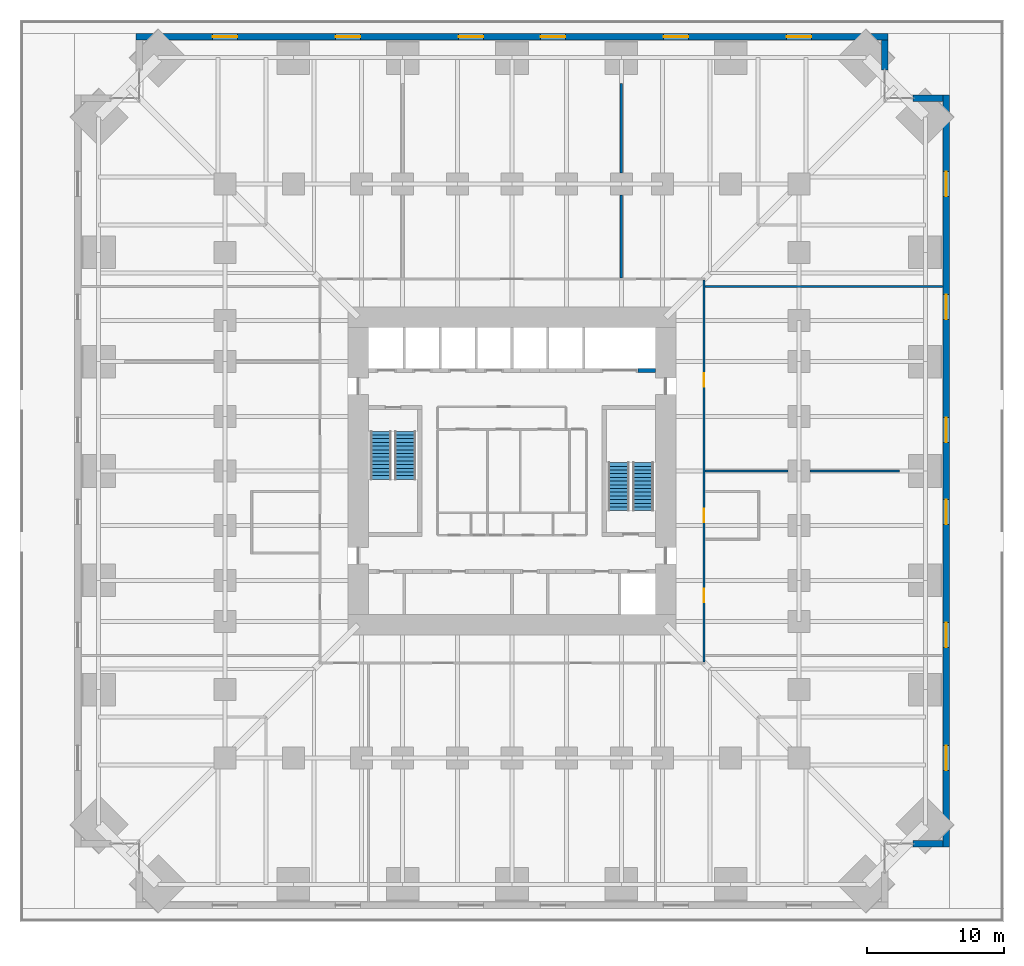
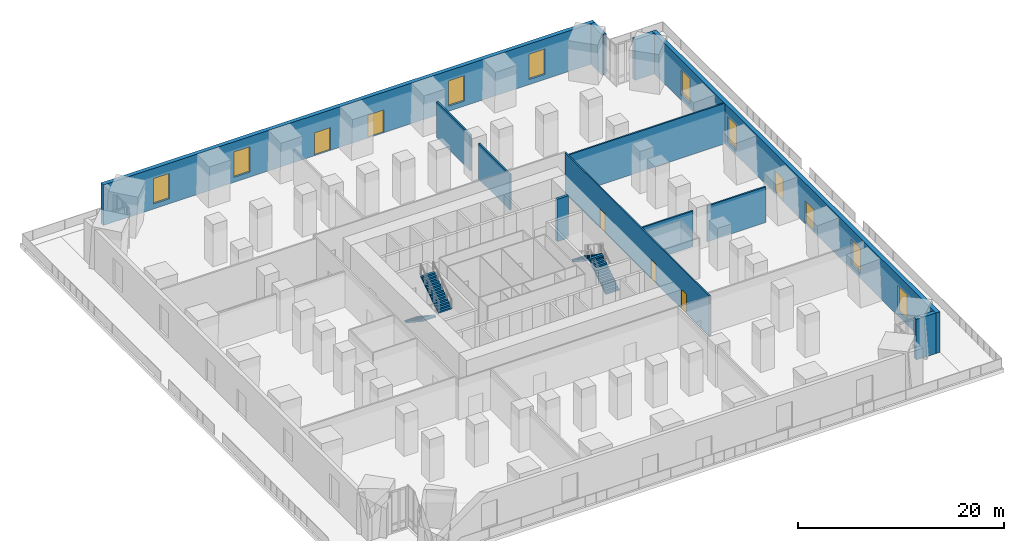
# One storey, part 23 of 26: 12 walls, 8 windows, 7 doors, 4 stair flights, 15 openings, 2 elements without a shape of their own.
"""IFC4 building model written with IfcOpenShell, lengths in metres."""

from ifc_helpers import new_model, si_unit, direction, frame, frame_2d, origin, place, context, subcontext, project, spatial, polyline, rectangle, outline, extrude, material, layer, layer_set, type_object, element, fill, aggregate, save


model = new_model("IFC4")

# Units and contexts
model_context = context("Model", 3, precision=1e-05, world=origin(), true_north=direction((0.0, 1.0)))
body_context = subcontext(model_context, "Body", "Model", "MODEL_VIEW")
ifc_project = project(units=[si_unit("LENGTHUNIT", "METRE"), si_unit("AREAUNIT", "SQUARE_METRE"), si_unit("VOLUMEUNIT", "CUBIC_METRE"), si_unit("PLANEANGLEUNIT", "RADIAN"), si_unit("MASSUNIT", "GRAM", prefix="KILO")], contexts=[model_context])

# Site, building, storey
site_placement = place(None, origin())
site = spatial("IfcSite", under=ifc_project, at=site_placement, CompositionType="ELEMENT")
building_placement = place(site_placement, origin())
building = spatial("IfcBuilding", under=site, at=building_placement, Name="Peilmerk Tower", CompositionType="ELEMENT")
storey_placement = place(building_placement, frame((0.0, 0.0, 16.0)))
storey = spatial("IfcBuildingStorey", under=building, at=storey_placement, Name="L03", CompositionType="ELEMENT", Elevation=16.0)

# Wall, openings, doors, windows
ifc_material_1 = material(Name="Precast concrete C45/55, board-marked finish", Category="concrete")
ifc_layer_1 = layer(ifc_material_1, 0.449951171875)
ifc_layer_set_1 = layer_set([ifc_layer_1], Name="Precast concrete C45/55, board-marked finish")
wall_type_1 = type_object("IfcWallType", Name="EW1 450 precast concrete facade wall, board-marked", PredefinedType="SOLIDWALL", material=ifc_layer_set_1)
wall_1_placement = place(storey_placement, frame((27.5, 31.77490234375, 0.0), z_axis=(0.0, 0.0, 1.0), x_axis=(-1.0, 0.0, 0.0)))
wall_1 = element("IfcWall", 1, at=wall_1_placement, inside=storey, type_object=wall_type_1, Name="Facade wall N L03", PredefinedType="SOLIDWALL", context=body_context, shape_type="SweptSolid", body=[
    extrude(rectangle(XDim=55.0, YDim=0.449951171875, at=frame_2d((27.5, 0.0))), origin(), (0.0, 0.0, 1.0), 4.800048828125),
])
opening_1_placement = place(wall_1_placement, frame((5.60009765625, 0.0, 0.60009765625)))
opening_1 = element("IfcOpeningElement", 2, at=opening_1_placement, cuts=wall_1, Name="Opening W7", PredefinedType="OPENING", context=body_context, shape_type="SweptSolid", body=[
    extrude(rectangle(XDim=1.800048828125, YDim=3.0, at=frame_2d((0.89990234375, 1.5))), frame((0.0, 0.23486328125, 0.0), z_axis=(0.0, -1.0, 0.0), x_axis=(1.0, 0.0, 0.0)), (0.0, 0.0, 1.0), 0.469970703125),
])
opening_2_placement = place(wall_1_placement, frame((14.60009765625, 0.0, 0.60009765625)))
opening_2 = element("IfcOpeningElement", 3, at=opening_2_placement, cuts=wall_1, Name="Opening W7", PredefinedType="OPENING", context=body_context, shape_type="SweptSolid", body=[
    extrude(rectangle(XDim=1.800048828125, YDim=3.0, at=frame_2d((0.89990234375, 1.5))), frame((0.0, 0.23486328125, 0.0), z_axis=(0.0, -1.0, 0.0), x_axis=(1.0, 0.0, 0.0)), (0.0, 0.0, 1.0), 0.469970703125),
])
opening_3_placement = place(wall_1_placement, frame((38.60009765625, 0.0, 0.60009765625)))
opening_3 = element("IfcOpeningElement", 4, at=opening_3_placement, cuts=wall_1, Name="Opening W7", PredefinedType="OPENING", context=body_context, shape_type="SweptSolid", body=[
    extrude(rectangle(XDim=1.800048828125, YDim=3.0, at=frame_2d((0.89990234375, 1.5))), frame((0.0, 0.23486328125, 0.0), z_axis=(0.0, -1.0, 0.0), x_axis=(1.0, 0.0, 0.0)), (0.0, 0.0, 1.0), 0.469970703125),
])
opening_4_placement = place(wall_1_placement, frame((47.60009765625, 0.0, 0.60009765625)))
opening_4 = element("IfcOpeningElement", 5, at=opening_4_placement, cuts=wall_1, Name="Opening W7", PredefinedType="OPENING", context=body_context, shape_type="SweptSolid", body=[
    extrude(rectangle(XDim=1.800048828125, YDim=3.0, at=frame_2d((0.89990234375, 1.5))), frame((0.0, 0.23486328125, 0.0), z_axis=(0.0, -1.0, 0.0), x_axis=(1.0, 0.0, 0.0)), (0.0, 0.0, 1.0), 0.469970703125),
])
opening_5_placement = place(wall_1_placement, frame((23.60009765625, 0.0, 0.0)))
opening_5 = element("IfcOpeningElement", 6, at=opening_5_placement, cuts=wall_1, Name="Opening ED4", PredefinedType="OPENING", context=body_context, shape_type="SweptSolid", body=[
    extrude(rectangle(XDim=1.800048828125, YDim=2.699951171875, at=frame_2d((0.89990234375, 1.35009765625))), frame((0.0, 0.23486328125, 0.0), z_axis=(0.0, -1.0, 0.0), x_axis=(1.0, 0.0, 0.0)), (0.0, 0.0, 1.0), 0.469970703125),
])
opening_6_placement = place(wall_1_placement, frame((29.60009765625, 0.0, 0.0)))
opening_6 = element("IfcOpeningElement", 7, at=opening_6_placement, cuts=wall_1, Name="Opening ED4", PredefinedType="OPENING", context=body_context, shape_type="SweptSolid", body=[
    extrude(rectangle(XDim=1.800048828125, YDim=2.699951171875, at=frame_2d((0.89990234375, 1.35009765625))), frame((0.0, 0.23486328125, 0.0), z_axis=(0.0, -1.0, 0.0), x_axis=(1.0, 0.0, 0.0)), (0.0, 0.0, 1.0), 0.469970703125),
])
ifc_material_2 = material(Name="Aluminium frame, clear glazing", Category="aluminium")
door_type_1 = type_object("IfcDoorType", Name="ED4 1800x2700 terrace door pair, glazed", OperationType="DOUBLE_DOOR_DOUBLE_SWING", PredefinedType="DOOR", material=ifc_material_2)
door_1_placement = place(opening_5_placement, frame((1.800048828125, 0.0, 0.0), z_axis=(0.0, 0.0, 1.0), x_axis=(-1.0, 0.0, 0.0)))
door_1 = element("IfcDoor", 8, at=door_1_placement, inside=storey, type_object=door_type_1, Name="Terrace door pair, glazed L03", OperationType="DOUBLE_DOOR_DOUBLE_SWING", OverallHeight=2.699951171875, OverallWidth=1.800048828125, PredefinedType="DOOR", context=body_context, shape_type="SweptSolid", body=[
    extrude(rectangle(XDim=1.800048828125, YDim=2.699951171875, at=frame_2d((0.89990234375, 1.35009765625))), frame((0.0, 0.02490234375, 0.0), z_axis=(0.0, -1.0, 0.0), x_axis=(1.0, 0.0, 0.0)), (0.0, 0.0, 1.0), 0.050048828125),
])
fill(opening_5, door_1)
door_2_placement = place(opening_6_placement, frame((1.800048828125, 0.0, 0.0), z_axis=(0.0, 0.0, 1.0), x_axis=(-1.0, 0.0, 0.0)))
door_2 = element("IfcDoor", 9, at=door_2_placement, inside=storey, type_object=door_type_1, Name="Terrace door pair, glazed L03", OperationType="DOUBLE_DOOR_DOUBLE_SWING", OverallHeight=2.699951171875, OverallWidth=1.800048828125, PredefinedType="DOOR", context=body_context, shape_type="SweptSolid", body=[
    extrude(rectangle(XDim=1.800048828125, YDim=2.699951171875, at=frame_2d((0.89990234375, 1.35009765625))), frame((0.0, 0.02490234375, 0.0), z_axis=(0.0, -1.0, 0.0), x_axis=(1.0, 0.0, 0.0)), (0.0, 0.0, 1.0), 0.050048828125),
])
fill(opening_6, door_2)
ifc_material_3 = material(Name="Aluminium frame, clear double glazing", Category="aluminium")
window_type = type_object("IfcWindowType", Name="W7 1800x3000 podium window", PartitioningType="SINGLE_PANEL", PredefinedType="WINDOW", material=ifc_material_3)
window_1_placement = place(opening_1_placement, origin())
window_1 = element("IfcWindow", 10, at=window_1_placement, inside=storey, type_object=window_type, Name="Window W7 L03", OverallHeight=3.0, OverallWidth=1.800048828125, PartitioningType="SINGLE_PANEL", PredefinedType="WINDOW", context=body_context, shape_type="SweptSolid", body=[
    extrude(rectangle(XDim=1.800048828125, YDim=3.0, at=frame_2d((0.89990234375, 1.5))), frame((0.0, 0.030029296875, 0.0), z_axis=(0.0, -1.0, 0.0), x_axis=(1.0, 0.0, 0.0)), (0.0, 0.0, 1.0), 0.06005859375),
])
fill(opening_1, window_1)
window_2_placement = place(opening_2_placement, origin())
window_2 = element("IfcWindow", 11, at=window_2_placement, inside=storey, type_object=window_type, Name="Window W7 L03", OverallHeight=3.0, OverallWidth=1.800048828125, PartitioningType="SINGLE_PANEL", PredefinedType="WINDOW", context=body_context, shape_type="SweptSolid", body=[
    extrude(rectangle(XDim=1.800048828125, YDim=3.0, at=frame_2d((0.89990234375, 1.5))), frame((0.0, 0.030029296875, 0.0), z_axis=(0.0, -1.0, 0.0), x_axis=(1.0, 0.0, 0.0)), (0.0, 0.0, 1.0), 0.06005859375),
])
fill(opening_2, window_2)
window_3_placement = place(opening_3_placement, origin())
window_3 = element("IfcWindow", 12, at=window_3_placement, inside=storey, type_object=window_type, Name="Window W7 L03", OverallHeight=3.0, OverallWidth=1.800048828125, PartitioningType="SINGLE_PANEL", PredefinedType="WINDOW", context=body_context, shape_type="SweptSolid", body=[
    extrude(rectangle(XDim=1.800048828125, YDim=3.0, at=frame_2d((0.89990234375, 1.5))), frame((0.0, 0.030029296875, 0.0), z_axis=(0.0, -1.0, 0.0), x_axis=(1.0, 0.0, 0.0)), (0.0, 0.0, 1.0), 0.06005859375),
])
fill(opening_3, window_3)
window_4_placement = place(opening_4_placement, origin())
window_4 = element("IfcWindow", 13, at=window_4_placement, inside=storey, type_object=window_type, Name="Window W7 L03", OverallHeight=3.0, OverallWidth=1.800048828125, PartitioningType="SINGLE_PANEL", PredefinedType="WINDOW", context=body_context, shape_type="SweptSolid", body=[
    extrude(rectangle(XDim=1.800048828125, YDim=3.0, at=frame_2d((0.89990234375, 1.5))), frame((0.0, 0.030029296875, 0.0), z_axis=(0.0, -1.0, 0.0), x_axis=(1.0, 0.0, 0.0)), (0.0, 0.0, 1.0), 0.06005859375),
])
fill(opening_4, window_4)

wall_2_placement = place(storey_placement, frame((31.77490234375, -27.5, 0.0), z_axis=(0.0, 0.0, 1.0), x_axis=(0.0, 1.0, 0.0)))
wall_2 = element("IfcWall", 14, at=wall_2_placement, inside=storey, type_object=wall_type_1, Name="Facade wall E L03", PredefinedType="SOLIDWALL", context=body_context, shape_type="SweptSolid", body=[
    extrude(rectangle(XDim=55.0, YDim=0.449951171875, at=frame_2d((27.5, 0.0))), origin(), (0.0, 0.0, 1.0), 4.800048828125),
])
opening_7_placement = place(wall_2_placement, frame((5.60009765625, 0.0, 0.60009765625)))
opening_7 = element("IfcOpeningElement", 15, at=opening_7_placement, cuts=wall_2, Name="Opening W7", PredefinedType="OPENING", context=body_context, shape_type="SweptSolid", body=[
    extrude(rectangle(XDim=1.800048828125, YDim=3.0, at=frame_2d((0.89990234375, 1.5))), frame((0.0, 0.23486328125, 0.0), z_axis=(0.0, -1.0, 0.0), x_axis=(1.0, 0.0, 0.0)), (0.0, 0.0, 1.0), 0.469970703125),
])
opening_8_placement = place(wall_2_placement, frame((14.60009765625, 0.0, 0.60009765625)))
opening_8 = element("IfcOpeningElement", 16, at=opening_8_placement, cuts=wall_2, Name="Opening W7", PredefinedType="OPENING", context=body_context, shape_type="SweptSolid", body=[
    extrude(rectangle(XDim=1.800048828125, YDim=3.0, at=frame_2d((0.89990234375, 1.5))), frame((0.0, 0.23486328125, 0.0), z_axis=(0.0, -1.0, 0.0), x_axis=(1.0, 0.0, 0.0)), (0.0, 0.0, 1.0), 0.469970703125),
])
opening_9_placement = place(wall_2_placement, frame((38.60009765625, 0.0, 0.60009765625)))
opening_9 = element("IfcOpeningElement", 17, at=opening_9_placement, cuts=wall_2, Name="Opening W7", PredefinedType="OPENING", context=body_context, shape_type="SweptSolid", body=[
    extrude(rectangle(XDim=1.800048828125, YDim=3.0, at=frame_2d((0.89990234375, 1.5))), frame((0.0, 0.23486328125, 0.0), z_axis=(0.0, -1.0, 0.0), x_axis=(1.0, 0.0, 0.0)), (0.0, 0.0, 1.0), 0.469970703125),
])
opening_10_placement = place(wall_2_placement, frame((47.60009765625, 0.0, 0.60009765625)))
opening_10 = element("IfcOpeningElement", 18, at=opening_10_placement, cuts=wall_2, Name="Opening W7", PredefinedType="OPENING", context=body_context, shape_type="SweptSolid", body=[
    extrude(rectangle(XDim=1.800048828125, YDim=3.0, at=frame_2d((0.89990234375, 1.5))), frame((0.0, 0.23486328125, 0.0), z_axis=(0.0, -1.0, 0.0), x_axis=(1.0, 0.0, 0.0)), (0.0, 0.0, 1.0), 0.469970703125),
])
opening_11_placement = place(wall_2_placement, frame((23.60009765625, 0.0, 0.0)))
opening_11 = element("IfcOpeningElement", 19, at=opening_11_placement, cuts=wall_2, Name="Opening ED4", PredefinedType="OPENING", context=body_context, shape_type="SweptSolid", body=[
    extrude(rectangle(XDim=1.800048828125, YDim=2.699951171875, at=frame_2d((0.89990234375, 1.35009765625))), frame((0.0, 0.23486328125, 0.0), z_axis=(0.0, -1.0, 0.0), x_axis=(1.0, 0.0, 0.0)), (0.0, 0.0, 1.0), 0.469970703125),
])
opening_12_placement = place(wall_2_placement, frame((29.60009765625, 0.0, 0.0)))
opening_12 = element("IfcOpeningElement", 20, at=opening_12_placement, cuts=wall_2, Name="Opening ED4", PredefinedType="OPENING", context=body_context, shape_type="SweptSolid", body=[
    extrude(rectangle(XDim=1.800048828125, YDim=2.699951171875, at=frame_2d((0.89990234375, 1.35009765625))), frame((0.0, 0.23486328125, 0.0), z_axis=(0.0, -1.0, 0.0), x_axis=(1.0, 0.0, 0.0)), (0.0, 0.0, 1.0), 0.469970703125),
])
door_3_placement = place(opening_11_placement, frame((1.800048828125, 0.0, 0.0), z_axis=(0.0, 0.0, 1.0), x_axis=(-1.0, 0.0, 0.0)))
door_3 = element("IfcDoor", 21, at=door_3_placement, inside=storey, type_object=door_type_1, Name="Terrace door pair, glazed L03", OperationType="DOUBLE_DOOR_DOUBLE_SWING", OverallHeight=2.699951171875, OverallWidth=1.800048828125, PredefinedType="DOOR", context=body_context, shape_type="SweptSolid", body=[
    extrude(rectangle(XDim=1.800048828125, YDim=2.699951171875, at=frame_2d((0.89990234375, 1.35009765625))), frame((0.0, 0.02490234375, 0.0), z_axis=(0.0, -1.0, 0.0), x_axis=(1.0, 0.0, 0.0)), (0.0, 0.0, 1.0), 0.050048828125),
])
fill(opening_11, door_3)
door_4_placement = place(opening_12_placement, frame((1.800048828125, 0.0, 0.0), z_axis=(0.0, 0.0, 1.0), x_axis=(-1.0, 0.0, 0.0)))
door_4 = element("IfcDoor", 22, at=door_4_placement, inside=storey, type_object=door_type_1, Name="Terrace door pair, glazed L03", OperationType="DOUBLE_DOOR_DOUBLE_SWING", OverallHeight=2.699951171875, OverallWidth=1.800048828125, PredefinedType="DOOR", context=body_context, shape_type="SweptSolid", body=[
    extrude(rectangle(XDim=1.800048828125, YDim=2.699951171875, at=frame_2d((0.89990234375, 1.35009765625))), frame((0.0, 0.02490234375, 0.0), z_axis=(0.0, -1.0, 0.0), x_axis=(1.0, 0.0, 0.0)), (0.0, 0.0, 1.0), 0.050048828125),
])
fill(opening_12, door_4)
window_5_placement = place(opening_7_placement, origin())
window_5 = element("IfcWindow", 23, at=window_5_placement, inside=storey, type_object=window_type, Name="Window W7 L03", OverallHeight=3.0, OverallWidth=1.800048828125, PartitioningType="SINGLE_PANEL", PredefinedType="WINDOW", context=body_context, shape_type="SweptSolid", body=[
    extrude(rectangle(XDim=1.800048828125, YDim=3.0, at=frame_2d((0.89990234375, 1.5))), frame((0.0, 0.030029296875, 0.0), z_axis=(0.0, -1.0, 0.0), x_axis=(1.0, 0.0, 0.0)), (0.0, 0.0, 1.0), 0.06005859375),
])
fill(opening_7, window_5)
window_6_placement = place(opening_8_placement, origin())
window_6 = element("IfcWindow", 24, at=window_6_placement, inside=storey, type_object=window_type, Name="Window W7 L03", OverallHeight=3.0, OverallWidth=1.800048828125, PartitioningType="SINGLE_PANEL", PredefinedType="WINDOW", context=body_context, shape_type="SweptSolid", body=[
    extrude(rectangle(XDim=1.800048828125, YDim=3.0, at=frame_2d((0.89990234375, 1.5))), frame((0.0, 0.030029296875, 0.0), z_axis=(0.0, -1.0, 0.0), x_axis=(1.0, 0.0, 0.0)), (0.0, 0.0, 1.0), 0.06005859375),
])
fill(opening_8, window_6)
window_7_placement = place(opening_9_placement, origin())
window_7 = element("IfcWindow", 25, at=window_7_placement, inside=storey, type_object=window_type, Name="Window W7 L03", OverallHeight=3.0, OverallWidth=1.800048828125, PartitioningType="SINGLE_PANEL", PredefinedType="WINDOW", context=body_context, shape_type="SweptSolid", body=[
    extrude(rectangle(XDim=1.800048828125, YDim=3.0, at=frame_2d((0.89990234375, 1.5))), frame((0.0, 0.030029296875, 0.0), z_axis=(0.0, -1.0, 0.0), x_axis=(1.0, 0.0, 0.0)), (0.0, 0.0, 1.0), 0.06005859375),
])
fill(opening_9, window_7)
window_8_placement = place(opening_10_placement, origin())
window_8 = element("IfcWindow", 26, at=window_8_placement, inside=storey, type_object=window_type, Name="Window W7 L03", OverallHeight=3.0, OverallWidth=1.800048828125, PartitioningType="SINGLE_PANEL", PredefinedType="WINDOW", context=body_context, shape_type="SweptSolid", body=[
    extrude(rectangle(XDim=1.800048828125, YDim=3.0, at=frame_2d((0.89990234375, 1.5))), frame((0.0, 0.030029296875, 0.0), z_axis=(0.0, -1.0, 0.0), x_axis=(1.0, 0.0, 0.0)), (0.0, 0.0, 1.0), 0.06005859375),
])
fill(opening_10, window_8)

# Walls
for number, where, z_axis, x_axis, name in (
    (27, (27.27490234375, 29.353759765625, 0.0), (0.0, 0.0, 1.0), (0.0, 1.0, 0.0), "Facade wall NEA L03"),
    (28, (29.353759765625, 27.27490234375, 0.0), (0.0, 0.0, 1.0), (1.0, 0.0, 0.0), "Facade wall NEB L03"),
    (29, (29.353759765625, -27.27490234375, 0.0), (0.0, 0.0, 1.0), (1.0, 0.0, 0.0), "Facade wall SEB L03"),
):
    element("IfcWall", number, at=place(storey_placement, frame(where, z_axis=z_axis, x_axis=x_axis)), inside=storey, type_object=wall_type_1, Name=name, PredefinedType="SOLIDWALL", context=body_context, shape_type="SweptSolid", body=[
        extrude(rectangle(XDim=2.1962890625, YDim=0.449951171875, at=frame_2d((1.09814453125, 0.0))), origin(), (0.0, 0.0, 1.0), 4.800048828125),
    ])

# Wall, openings, doors
ifc_material_4 = material(Name="Calcium silicate block", Category="masonry")
ifc_layer_2 = layer(ifc_material_4, 0.14990234375)
ifc_layer_set_2 = layer_set([ifc_layer_2], Name="Calcium silicate block")
wall_type_2 = type_object("IfcWallType", Name="IW1 150 corridor partition, EI 60", PredefinedType="PARTITIONING", material=ifc_layer_set_2)
wall_3_placement = place(storey_placement, frame((14.050048828125, -13.97509765625, 0.0), z_axis=(0.0, 0.0, 1.0), x_axis=(0.0, 1.0, 0.0)))
wall_3 = element("IfcWall", 30, at=wall_3_placement, inside=storey, type_object=wall_type_2, Name="Corridor wall E L03", PredefinedType="PARTITIONING", context=body_context, shape_type="SweptSolid", body=[
    extrude(rectangle(XDim=27.9501953125, YDim=0.14990234375, at=frame_2d((13.97509765625, 0.0))), origin(), (0.0, 0.0, 1.0), 4.800048828125),
])
opening_13_placement = place(wall_3_placement, frame((4.375, 0.0, 0.0)))
opening_13 = element("IfcOpeningElement", 31, at=opening_13_placement, cuts=wall_3, Name="Opening D1", PredefinedType="OPENING", context=body_context, shape_type="SweptSolid", body=[
    extrude(rectangle(XDim=1.0, YDim=2.300048828125, at=frame_2d((0.5, 1.14990234375))), frame((0.0, 0.0849609375, 0.0), z_axis=(0.0, -1.0, 0.0), x_axis=(1.0, 0.0, 0.0)), (0.0, 0.0, 1.0), 0.169921875),
])
opening_14_placement = place(wall_3_placement, frame((20.125, 0.0, 0.0)))
opening_14 = element("IfcOpeningElement", 32, at=opening_14_placement, cuts=wall_3, Name="Opening D1", PredefinedType="OPENING", context=body_context, shape_type="SweptSolid", body=[
    extrude(rectangle(XDim=1.0, YDim=2.300048828125, at=frame_2d((0.5, 1.14990234375))), frame((0.0, 0.0849609375, 0.0), z_axis=(0.0, -1.0, 0.0), x_axis=(1.0, 0.0, 0.0)), (0.0, 0.0, 1.0), 0.169921875),
])
opening_15_placement = place(wall_3_placement, frame((10.22509765625, 0.0, 0.0)))
opening_15 = element("IfcOpeningElement", 33, at=opening_15_placement, cuts=wall_3, Name="Opening D1", PredefinedType="OPENING", context=body_context, shape_type="SweptSolid", body=[
    extrude(rectangle(XDim=1.0, YDim=2.300048828125, at=frame_2d((0.5, 1.14990234375))), frame((0.0, 0.0849609375, 0.0), z_axis=(0.0, -1.0, 0.0), x_axis=(1.0, 0.0, 0.0)), (0.0, 0.0, 1.0), 0.169921875),
])
ifc_material_5 = material(Name="Timber door in steel frame", Category="steel")
door_type_2 = type_object("IfcDoorType", Name="D1 1000x2300 room door, EI2 30", OperationType="SINGLE_SWING_LEFT", PredefinedType="DOOR", material=ifc_material_5)
door_5_placement = place(opening_13_placement, frame((1.0, 0.0, 0.0), z_axis=(0.0, 0.0, 1.0), x_axis=(-1.0, 0.0, 0.0)))
door_5 = element("IfcDoor", 34, at=door_5_placement, inside=storey, type_object=door_type_2, Name="Door Office L03", OperationType="SINGLE_SWING_LEFT", OverallHeight=2.300048828125, OverallWidth=1.0, PredefinedType="DOOR", context=body_context, shape_type="SweptSolid", body=[
    extrude(rectangle(XDim=1.0, YDim=2.300048828125, at=frame_2d((0.5, 1.14990234375))), frame((0.0, 0.02490234375, 0.0), z_axis=(0.0, -1.0, 0.0), x_axis=(1.0, 0.0, 0.0)), (0.0, 0.0, 1.0), 0.050048828125),
])
fill(opening_13, door_5)
door_6_placement = place(opening_14_placement, frame((1.0, 0.0, 0.0), z_axis=(0.0, 0.0, 1.0), x_axis=(-1.0, 0.0, 0.0)))
door_6 = element("IfcDoor", 35, at=door_6_placement, inside=storey, type_object=door_type_2, Name="Door Office L03", OperationType="SINGLE_SWING_LEFT", OverallHeight=2.300048828125, OverallWidth=1.0, PredefinedType="DOOR", context=body_context, shape_type="SweptSolid", body=[
    extrude(rectangle(XDim=1.0, YDim=2.300048828125, at=frame_2d((0.5, 1.14990234375))), frame((0.0, 0.02490234375, 0.0), z_axis=(0.0, -1.0, 0.0), x_axis=(1.0, 0.0, 0.0)), (0.0, 0.0, 1.0), 0.050048828125),
])
fill(opening_14, door_6)
door_7_placement = place(opening_15_placement, frame((1.0, 0.0, 0.0), z_axis=(0.0, 0.0, 1.0), x_axis=(-1.0, 0.0, 0.0)))
door_7 = element("IfcDoor", 36, at=door_7_placement, inside=storey, type_object=door_type_2, Name="Door Pantry L03", OperationType="SINGLE_SWING_LEFT", OverallHeight=2.300048828125, OverallWidth=1.0, PredefinedType="DOOR", context=body_context, shape_type="SweptSolid", body=[
    extrude(rectangle(XDim=1.0, YDim=2.300048828125, at=frame_2d((0.5, 1.14990234375))), frame((0.0, 0.02490234375, 0.0), z_axis=(0.0, -1.0, 0.0), x_axis=(1.0, 0.0, 0.0)), (0.0, 0.0, 1.0), 0.050048828125),
])
fill(opening_15, door_7)

# Walls
ifc_layer_3 = layer(ifc_material_4, 0.175048828125)
ifc_layer_set_3 = layer_set([ifc_layer_3], Name="Calcium silicate block")
wall_type_3 = type_object("IfcWallType", Name="IW8 175 tenant separating wall, EI 60", PredefinedType="PARTITIONING", material=ifc_layer_set_3)
wall_4_placement = place(storey_placement, frame((14.125, 13.5, 0.0), z_axis=(0.0, 0.0, 1.0), x_axis=(1.0, 0.0, 0.0)))
element("IfcWall", 37, at=wall_4_placement, inside=storey, type_object=wall_type_3, Name="Tenant separating wall NE L03", PredefinedType="PARTITIONING", context=body_context, shape_type="SweptSolid", body=[
    extrude(rectangle(XDim=17.425048828125, YDim=0.175048828125, at=frame_2d((8.71240234375, 0.0))), origin(), (0.0, 0.0, 1.0), 4.800048828125),
])
wall_5_placement = place(storey_placement, frame((8.0, 14.125, 0.0), z_axis=(0.0, 0.0, 1.0), x_axis=(0.0, 1.0, 0.0)))
element("IfcWall", 38, at=wall_5_placement, inside=storey, type_object=wall_type_3, Name="Tenant separating wall N2 L03", PredefinedType="PARTITIONING", context=body_context, shape_type="SweptSolid", body=[
    extrude(rectangle(XDim=6.074951171875, YDim=0.175048828125, at=frame_2d((3.03759765625, 0.0))), origin(), (0.0, 0.0, 1.0), 4.23095703125),
])
wall_6_placement = place(storey_placement, frame((8.0, 21.800048828125, 0.0), z_axis=(0.0, 0.0, 1.0), x_axis=(0.0, 1.0, 0.0)))
element("IfcWall", 39, at=wall_6_placement, inside=storey, type_object=wall_type_3, Name="Tenant separating wall N2b L03", PredefinedType="PARTITIONING", context=body_context, shape_type="SweptSolid", body=[
    extrude(rectangle(XDim=6.552978515625, YDim=0.175048828125, at=frame_2d((3.2763671875, 0.0))), origin(), (0.0, 0.0, 1.0), 4.23095703125),
])
wall_7_placement = place(storey_placement, frame((14.125, 0.0, 0.0), z_axis=(0.0, 0.0, 1.0), x_axis=(1.0, 0.0, 0.0)))
element("IfcWall", 40, at=wall_7_placement, inside=storey, type_object=wall_type_3, Name="Tenant separating wall E1 L03", PredefinedType="PARTITIONING", context=body_context, shape_type="SweptSolid", body=[
    extrude(rectangle(XDim=6.074951171875, YDim=0.175048828125, at=frame_2d((3.03759765625, 0.0))), origin(), (0.0, 0.0, 1.0), 4.23095703125),
])
wall_8_placement = place(storey_placement, frame((21.800048828125, 0.0, 0.0), z_axis=(0.0, 0.0, 1.0), x_axis=(1.0, 0.0, 0.0)))
element("IfcWall", 41, at=wall_8_placement, inside=storey, type_object=wall_type_3, Name="Tenant separating wall E1b L03", PredefinedType="PARTITIONING", context=body_context, shape_type="SweptSolid", body=[
    extrude(rectangle(XDim=6.552978515625, YDim=0.175048828125, at=frame_2d((3.2763671875, 0.0))), origin(), (0.0, 0.0, 1.0), 4.23095703125),
])
ifc_material_6 = material(Name="Concrete C55/67", Category="concrete")
ifc_layer_4 = layer(ifc_material_6, 0.300048828125)
ifc_layer_set_4 = layer_set([ifc_layer_4], Name="Concrete C55/67")
wall_type_4 = type_object("IfcWallType", Name="SW2 300 lift bank pier", PredefinedType="SHEAR", material=ifc_layer_set_4)
wall_9_placement = place(storey_placement, frame((9.22509765625, 7.35009765625, 0.0), z_axis=(0.0, 0.0, 1.0), x_axis=(1.0, 0.0, 0.0)))
element("IfcWall", 42, at=wall_9_placement, inside=storey, type_object=wall_type_4, Name="Lift bank pier N L03", PredefinedType="SHEAR", context=body_context, shape_type="SweptSolid", body=[
    extrude(rectangle(XDim=1.27490234375, YDim=0.300048828125, at=frame_2d((0.637451171875, 0.0))), origin(), (0.0, 0.0, 1.0), 5.0),
])

# Stair, stair flights
ifc_material_7 = material(Name="Precast concrete C45/55", Category="concrete")
stair_type_1 = type_object("IfcStairType", Name="ST1 28 risers of 178.6", PredefinedType="HALF_TURN_STAIR", material=ifc_material_7)
stair_1_placement = place(storey_placement, origin())
stair_1 = element("IfcStair", 43, at=stair_1_placement, inside=storey, type_object=stair_type_1, Name="Stair 1 L03 to L04", PredefinedType="HALF_TURN_STAIR")
stair_flight_type = type_object("IfcStairFlightType", Name="SF14 flight, 14 risers of 178.6", PredefinedType="STRAIGHT", material=ifc_material_7)
stair_flight_1_placement = place(storey_placement, frame((-9.60009765625, 2.89990234375, 0.0), z_axis=(0.0, 0.0, 1.0), x_axis=(0.0, -1.0, 0.0)))
stair_flight_1 = element("IfcStairFlight", 44, at=stair_flight_1_placement, type_object=stair_flight_type, Name="ST1 flight 1", NumberOfRisers=14, NumberOfTreads=13, PredefinedType="STRAIGHT", RiserHeight=0.178571429, TreadLength=0.27, context=body_context, shape_type="SweptSolid", body=[
    extrude(outline(polyline([(0.0, 0.0), (0.0, 0.178466796875), (0.27001953125, 0.178466796875), (0.27001953125, 0.357177734375), (0.5400390625, 0.357177734375), (0.5400390625, 0.53564453125), (0.81005859375, 0.53564453125), (0.81005859375, 0.71435546875), (1.080078125, 0.71435546875), (1.080078125, 0.892822265625), (1.35009765625, 0.892822265625), (1.35009765625, 1.071533203125), (1.6201171875, 1.071533203125), (1.6201171875, 1.25), (1.889892578125, 1.25), (1.889892578125, 1.428466796875), (2.159912109375, 1.428466796875), (2.159912109375, 1.607177734375), (2.429931640625, 1.607177734375), (2.429931640625, 1.78564453125), (2.699951171875, 1.78564453125), (2.699951171875, 1.96435546875), (2.969970703125, 1.96435546875), (2.969970703125, 2.142822265625), (3.239990234375, 2.142822265625), (3.239990234375, 2.321533203125), (3.510009765625, 2.321533203125), (3.510009765625, 2.5), (3.510009765625, 2.1416015625), (0.271728515625, 0.0), (0.0, 0.0)])), frame((0.0, 0.75, 0.0), z_axis=(0.0, -1.0, 0.0), x_axis=(1.0, 0.0, 0.0)), (0.0, 0.0, 1.0), 1.5),
])
stair_flight_2_placement = place(storey_placement, frame((-7.800048828125, -0.610107421875, 2.5), z_axis=(0.0, 0.0, 1.0), x_axis=(0.0, 1.0, 0.0)))
stair_flight_2 = element("IfcStairFlight", 45, at=stair_flight_2_placement, type_object=stair_flight_type, Name="ST1 flight 2", NumberOfRisers=14, NumberOfTreads=13, PredefinedType="STRAIGHT", RiserHeight=0.178571429, TreadLength=0.27, context=body_context, shape_type="SweptSolid", body=[
    extrude(outline(polyline([(0.0, 0.0), (0.0, 0.178466796875), (0.27001953125, 0.178466796875), (0.27001953125, 0.357177734375), (0.5400390625, 0.357177734375), (0.5400390625, 0.53564453125), (0.81005859375, 0.53564453125), (0.81005859375, 0.71435546875), (1.080078125, 0.71435546875), (1.080078125, 0.892822265625), (1.35009765625, 0.892822265625), (1.35009765625, 1.071533203125), (1.6201171875, 1.071533203125), (1.6201171875, 1.25), (1.889892578125, 1.25), (1.889892578125, 1.428466796875), (2.159912109375, 1.428466796875), (2.159912109375, 1.607177734375), (2.429931640625, 1.607177734375), (2.429931640625, 1.78564453125), (2.699951171875, 1.78564453125), (2.699951171875, 1.96435546875), (2.969970703125, 1.96435546875), (2.969970703125, 2.142822265625), (3.239990234375, 2.142822265625), (3.239990234375, 2.321533203125), (3.510009765625, 2.321533203125), (3.510009765625, 2.5), (3.510009765625, 2.1416015625), (0.271728515625, 0.0), (0.0, 0.0)])), frame((0.0, 0.75, 0.0), z_axis=(0.0, -1.0, 0.0), x_axis=(1.0, 0.0, 0.0)), (0.0, 0.0, 1.0), 1.5),
])
aggregate(stair_1, [stair_flight_1, stair_flight_2])

stair_type_2 = type_object("IfcStairType", Name="ST2 28 risers of 178.6", PredefinedType="HALF_TURN_STAIR", material=ifc_material_7)
stair_2_placement = place(storey_placement, origin())
stair_2 = element("IfcStair", 46, at=stair_2_placement, inside=storey, type_object=stair_type_2, Name="Stair 2 L03 to L04", PredefinedType="HALF_TURN_STAIR")
stair_flight_3_placement = place(storey_placement, frame((9.60009765625, -2.89990234375, 0.0), z_axis=(0.0, 0.0, 1.0), x_axis=(0.0, 1.0, 0.0)))
stair_flight_3 = element("IfcStairFlight", 47, at=stair_flight_3_placement, type_object=stair_flight_type, Name="ST2 flight 1", NumberOfRisers=14, NumberOfTreads=13, PredefinedType="STRAIGHT", RiserHeight=0.178571429, TreadLength=0.27, context=body_context, shape_type="SweptSolid", body=[
    extrude(outline(polyline([(0.0, 0.0), (0.0, 0.178466796875), (0.27001953125, 0.178466796875), (0.27001953125, 0.357177734375), (0.5400390625, 0.357177734375), (0.5400390625, 0.53564453125), (0.81005859375, 0.53564453125), (0.81005859375, 0.71435546875), (1.080078125, 0.71435546875), (1.080078125, 0.892822265625), (1.35009765625, 0.892822265625), (1.35009765625, 1.071533203125), (1.6201171875, 1.071533203125), (1.6201171875, 1.25), (1.889892578125, 1.25), (1.889892578125, 1.428466796875), (2.159912109375, 1.428466796875), (2.159912109375, 1.607177734375), (2.429931640625, 1.607177734375), (2.429931640625, 1.78564453125), (2.699951171875, 1.78564453125), (2.699951171875, 1.96435546875), (2.969970703125, 1.96435546875), (2.969970703125, 2.142822265625), (3.239990234375, 2.142822265625), (3.239990234375, 2.321533203125), (3.510009765625, 2.321533203125), (3.510009765625, 2.5), (3.510009765625, 2.1416015625), (0.271728515625, 0.0), (0.0, 0.0)])), frame((0.0, 0.75, 0.0), z_axis=(0.0, -1.0, 0.0), x_axis=(1.0, 0.0, 0.0)), (0.0, 0.0, 1.0), 1.5),
])
stair_flight_4_placement = place(storey_placement, frame((7.800048828125, 0.610107421875, 2.5), z_axis=(0.0, 0.0, 1.0), x_axis=(0.0, -1.0, 0.0)))
stair_flight_4 = element("IfcStairFlight", 48, at=stair_flight_4_placement, type_object=stair_flight_type, Name="ST2 flight 2", NumberOfRisers=14, NumberOfTreads=13, PredefinedType="STRAIGHT", RiserHeight=0.178571429, TreadLength=0.27, context=body_context, shape_type="SweptSolid", body=[
    extrude(outline(polyline([(0.0, 0.0), (0.0, 0.178466796875), (0.27001953125, 0.178466796875), (0.27001953125, 0.357177734375), (0.5400390625, 0.357177734375), (0.5400390625, 0.53564453125), (0.81005859375, 0.53564453125), (0.81005859375, 0.71435546875), (1.080078125, 0.71435546875), (1.080078125, 0.892822265625), (1.35009765625, 0.892822265625), (1.35009765625, 1.071533203125), (1.6201171875, 1.071533203125), (1.6201171875, 1.25), (1.889892578125, 1.25), (1.889892578125, 1.428466796875), (2.159912109375, 1.428466796875), (2.159912109375, 1.607177734375), (2.429931640625, 1.607177734375), (2.429931640625, 1.78564453125), (2.699951171875, 1.78564453125), (2.699951171875, 1.96435546875), (2.969970703125, 1.96435546875), (2.969970703125, 2.142822265625), (3.239990234375, 2.142822265625), (3.239990234375, 2.321533203125), (3.510009765625, 2.321533203125), (3.510009765625, 2.5), (3.510009765625, 2.1416015625), (0.271728515625, 0.0), (0.0, 0.0)])), frame((0.0, 0.75, 0.0), z_axis=(0.0, -1.0, 0.0), x_axis=(1.0, 0.0, 0.0)), (0.0, 0.0, 1.0), 1.5),
])
aggregate(stair_2, [stair_flight_3, stair_flight_4])

save(model, "model.ifc")
